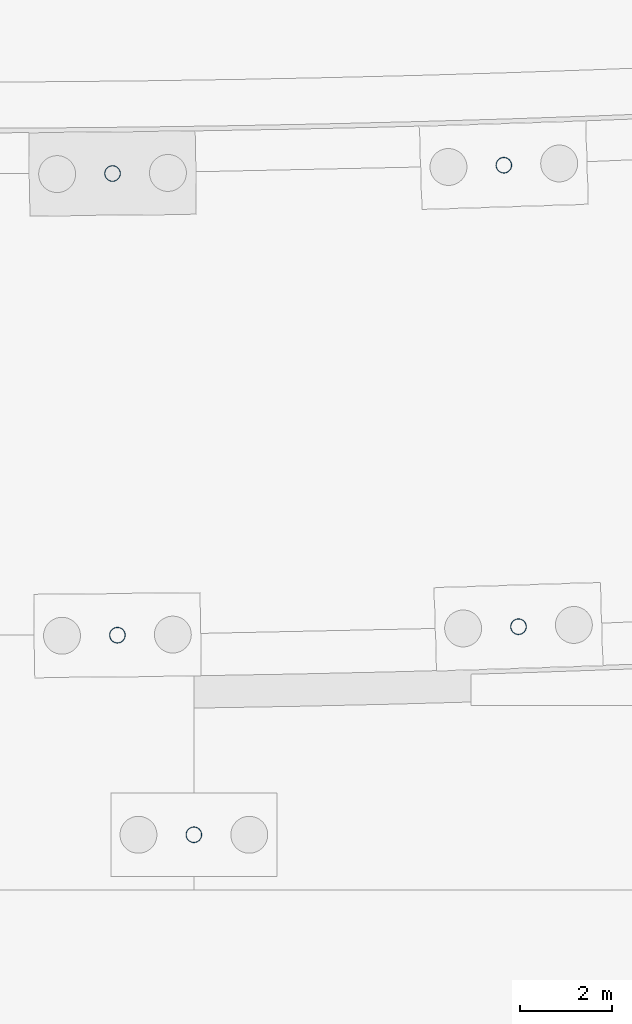
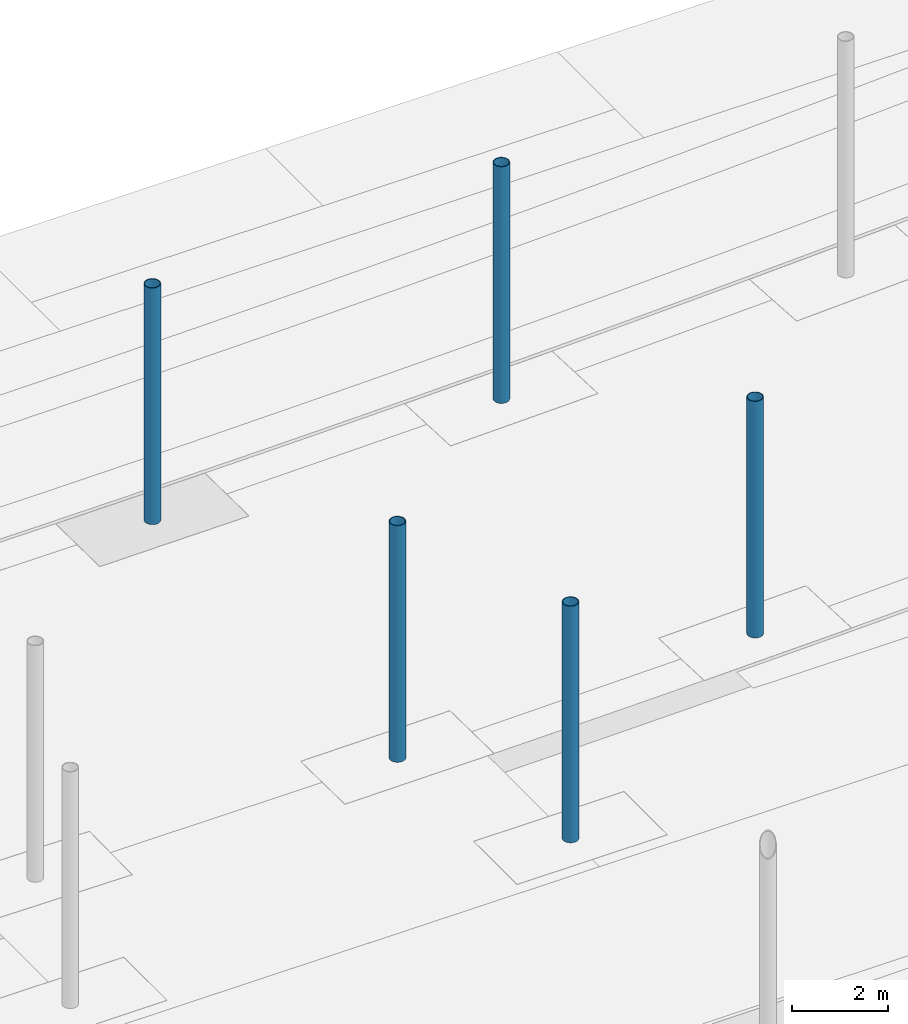
# One storey, part 28 of 198: 5 columns.
"""IFC4 building model written with IfcOpenShell, lengths in metres."""

from ifc_helpers import new_model, si_unit, direction, frame, origin, origin_2d, place, context, subcontext, project, spatial, hollow_circle, extrude, material, material_profile, profile_set, type_object, element, save


model = new_model("IFC4")

# Units and contexts
model_context = context("Model", 3, precision=1e-05, world=origin(), true_north=direction((0.0, 1.0)))
body_context = subcontext(model_context, "Body", "Model", "MODEL_VIEW")
ifc_project = project(units=[si_unit("LENGTHUNIT", "METRE"), si_unit("AREAUNIT", "SQUARE_METRE"), si_unit("VOLUMEUNIT", "CUBIC_METRE"), si_unit("PLANEANGLEUNIT", "RADIAN"), si_unit("MASSUNIT", "GRAM", prefix="KILO")], contexts=[model_context])

# Site, building, storey
site_placement = place(None, origin())
site = spatial("IfcSite", under=ifc_project, at=site_placement, CompositionType="ELEMENT")
building_placement = place(site_placement, origin())
building = spatial("IfcBuilding", under=site, at=building_placement, Name="Opaline Strait Convention Centre", CompositionType="ELEMENT")
storey_placement = place(building_placement, origin())
storey = spatial("IfcBuildingStorey", under=building, at=storey_placement, Name="L00", CompositionType="ELEMENT", Elevation=0.0)

# Columns
ifc_material = material(Name="Steel Q355B", Category="steel")
ifc_material_profile = material_profile(ifc_material, hollow_circle(Radius=0.175537109375, WallThickness=0.01611328125, at=origin_2d()), Name="CHS 351x16")
ifc_profile_set = profile_set([ifc_material_profile], Name="Steel Q355B")
column_type = type_object("IfcColumnType", Name="Arcade column CHS 351x16", PredefinedType="COLUMN", material=ifc_profile_set)
for number, where, z_axis, x_axis, name in (
    (1, (184.34423828125, 169.52294921875, 0.0), (0.0, 0.0, 1.0), (1.0, 0.0, 0.0), "Arcade column SC-I11"),
    (2, (193.031005859375, 169.70703125, 0.0), (0.0, 0.0, 1.0), (1.0, 0.0, 0.0), "Arcade column SC-I12"),
    (3, (184.23828125, 179.5224609375, 0.0), (0.0, 0.0, 1.0), (1.0, 0.0, 0.0), "Arcade column SC-O11"),
    (4, (192.71337890625, 179.7021484375, 0.0), (0.0, 0.0, 1.0), (1.0, 0.0, 0.0), "Arcade column SC-O12"),
    (5, (186.0, 165.199951171875, 0.0), (0.0, 0.0, 1.0), (1.0, 0.0, 0.0), "Arcade walk column SC-WE2"),
):
    element("IfcColumn", number, at=place(storey_placement, frame(where, z_axis=z_axis, x_axis=x_axis)), inside=storey, type_object=column_type, Name=name, ObjectType="SCC1", PredefinedType="COLUMN", context=body_context, shape_type="SweptSolid", body=[
        extrude(hollow_circle(Radius=0.175537109375, WallThickness=0.01611328125, at=origin_2d()), origin(), (0.0, 0.0, 1.0), 6.0),
    ])

save(model, "model.ifc")
